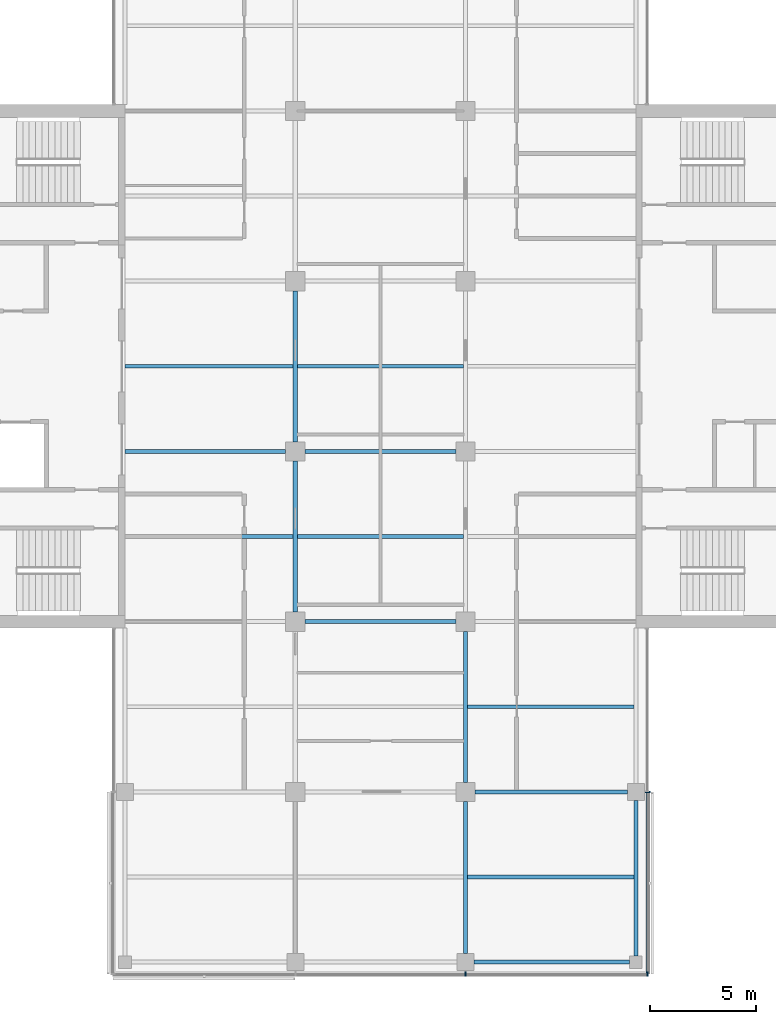
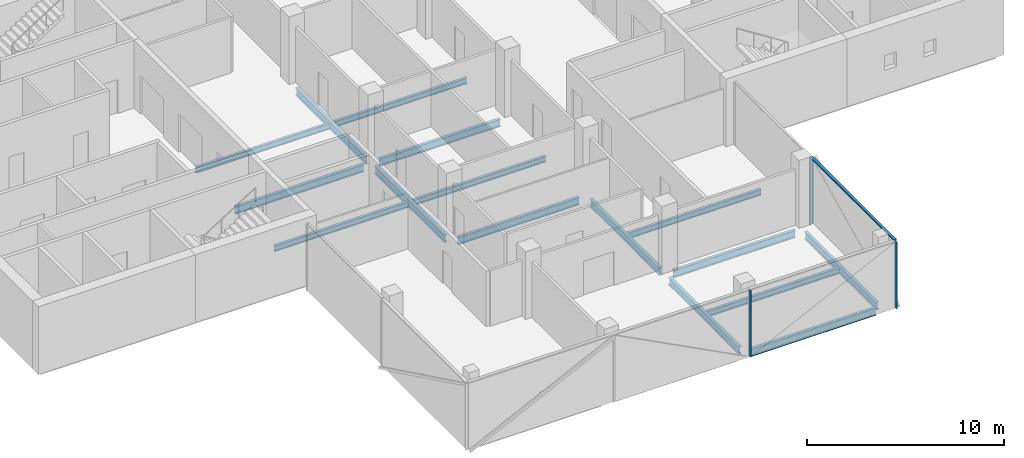
# One storey, part 3 of 16: 16 beams, 4 members, 2 elements without a shape of their own.
"""IFC4 building model written with IfcOpenShell, lengths in metres."""

from ifc_helpers import new_model, si_unit, direction, frame, origin, origin_2d, place, context, subcontext, project, spatial, rectangle, i_section, extrude, material, material_profile, profile_set, type_object, element, aggregate, save


model = new_model("IFC4")

# Units and contexts
model_context = context("Model", 3, precision=1e-05, world=origin(), true_north=direction((0.0, 1.0)))
body_context = subcontext(model_context, "Body", "Model", "MODEL_VIEW")
ifc_project = project(units=[si_unit("LENGTHUNIT", "METRE"), si_unit("AREAUNIT", "SQUARE_METRE"), si_unit("VOLUMEUNIT", "CUBIC_METRE"), si_unit("PLANEANGLEUNIT", "RADIAN"), si_unit("MASSUNIT", "GRAM", prefix="KILO")], contexts=[model_context])

# Site, building, storey
site_placement = place(None, origin())
site = spatial("IfcSite", under=ifc_project, at=site_placement, CompositionType="ELEMENT")
building_placement = place(site_placement, origin())
building = spatial("IfcBuilding", under=site, at=building_placement, Name="Crosswind Convention Tower", CompositionType="ELEMENT")
storey_placement = place(building_placement, frame((0.0, 0.0, 212.5)))
storey = spatial("IfcBuildingStorey", under=building, at=storey_placement, Name="L45", CompositionType="ELEMENT", Elevation=212.5)

# Beams
ifc_material_1 = material(Name="Steel S355", Category="steel")
ifc_material_profile_1 = material_profile(ifc_material_1, i_section(OverallWidth=0.18994140625, OverallDepth=0.45361328125, WebThickness=0.008544921875, FlangeThickness=0.0126953125, FilletRadius=0.01025390625, at=origin_2d()), Name="UB 457x191x67")
ifc_profile_set_1 = profile_set([ifc_material_profile_1], Name="Steel S355")
beam_type_1 = type_object("IfcBeamType", Name="Edge beam UB 457x191x67", PredefinedType="SPANDREL", material=ifc_profile_set_1)
for number, where, z_axis, x_axis, name in (
    (1, (129.39990234375, 72.0, -0.52685546875), (1.0, 0.0, 0.0), (0.0, 1.0, 0.0), "B16 L45 edge beam 9"),
    (2, (137.0, 72.300048828125, -0.52685546875), (0.0, 1.0, 0.0), (-1.0, 0.0, 0.0), "B16 L45 edge beam 11"),
):
    element("IfcBeam", number, at=place(storey_placement, frame(where, z_axis=z_axis, x_axis=x_axis)), inside=storey, type_object=beam_type_1, Name=name, PredefinedType="SPANDREL", context=body_context, shape_type="SweptSolid", body=[
        extrude(i_section(OverallWidth=0.18994140625, OverallDepth=0.45361328125, WebThickness=0.008544921875, FlangeThickness=0.0126953125, FilletRadius=0.01025390625, at=origin_2d()), origin(), (0.0, 0.0, 1.0), 7.300048828125),
    ])
ifc_material_profile_2 = material_profile(ifc_material_1, i_section(OverallWidth=0.1904296875, OverallDepth=0.457275390625, WebThickness=0.009033203125, FlangeThickness=0.014404296875, FilletRadius=0.01025390625, at=origin_2d()), Name="UB 457x191x75")
ifc_profile_set_2 = profile_set([ifc_material_profile_2], Name="Steel S355")
beam_type_2 = type_object("IfcBeamType", Name="Girder UB 457x191x75", PredefinedType="BEAM", material=ifc_profile_set_2)
for number, where, z_axis, x_axis, name in (
    (3, (121.0, 88.449951171875, -0.528564453125), (0.0, 1.0, 0.0), (-1.0, 0.0, 0.0), "B2 L45 girder 5"),
    (4, (121.0, 96.449951171875, -0.528564453125), (0.0, 1.0, 0.0), (-1.0, 0.0, 0.0), "B2 L45 girder 6"),
    (5, (121.449951171875, 88.0, -0.528564453125), (1.0, 0.0, 0.0), (0.0, 1.0, 0.0), "B2 L45 girder 11"),
    (6, (121.449951171875, 96.0, -0.528564453125), (1.0, 0.0, 0.0), (0.0, 1.0, 0.0), "B2 L45 girder 12"),
):
    element("IfcBeam", number, at=place(storey_placement, frame(where, z_axis=z_axis, x_axis=x_axis)), inside=storey, type_object=beam_type_2, Name=name, PredefinedType="BEAM", context=body_context, shape_type="SweptSolid", body=[
        extrude(i_section(OverallWidth=0.1904296875, OverallDepth=0.457275390625, WebThickness=0.009033203125, FlangeThickness=0.014404296875, FilletRadius=0.01025390625, at=origin_2d()), origin(), (0.0, 0.0, 1.0), 7.10009765625),
    ])
beam_1_placement = place(storey_placement, frame((129.0, 72.39990234375, -0.528564453125), z_axis=(0.0, 1.0, 0.0), x_axis=(-1.0, 0.0, 0.0)))
element("IfcBeam", 7, at=beam_1_placement, inside=storey, type_object=beam_type_2, Name="B2 L45 girder 16", PredefinedType="BEAM", context=body_context, shape_type="SweptSolid", body=[
    extrude(i_section(OverallWidth=0.1904296875, OverallDepth=0.457275390625, WebThickness=0.009033203125, FlangeThickness=0.014404296875, FilletRadius=0.01025390625, at=origin_2d()), origin(), (0.0, 0.0, 1.0), 7.150146484375),
])
beam_2_placement = place(storey_placement, frame((129.0, 80.449951171875, -0.528564453125), z_axis=(0.0, 1.0, 0.0), x_axis=(-1.0, 0.0, 0.0)))
element("IfcBeam", 8, at=beam_2_placement, inside=storey, type_object=beam_type_2, Name="B2 L45 girder 17", PredefinedType="BEAM", context=body_context, shape_type="SweptSolid", body=[
    extrude(i_section(OverallWidth=0.1904296875, OverallDepth=0.457275390625, WebThickness=0.009033203125, FlangeThickness=0.014404296875, FilletRadius=0.01025390625, at=origin_2d()), origin(), (0.0, 0.0, 1.0), 7.10009765625),
])
beam_3_placement = place(storey_placement, frame((129.449951171875, 80.0, -0.528564453125), z_axis=(1.0, 0.0, 0.0), x_axis=(0.0, 1.0, 0.0)))
element("IfcBeam", 9, at=beam_3_placement, inside=storey, type_object=beam_type_2, Name="B2 L45 girder 23", PredefinedType="BEAM", context=body_context, shape_type="SweptSolid", body=[
    extrude(i_section(OverallWidth=0.1904296875, OverallDepth=0.457275390625, WebThickness=0.009033203125, FlangeThickness=0.014404296875, FilletRadius=0.01025390625, at=origin_2d()), origin(), (0.0, 0.0, 1.0), 7.150146484375),
])
ifc_material_profile_3 = material_profile(ifc_material_1, i_section(OverallWidth=0.19140625, OverallDepth=0.460205078125, WebThickness=0.010009765625, FlangeThickness=0.01611328125, FilletRadius=0.01025390625, at=origin_2d()), Name="UB 457x191x82")
ifc_profile_set_3 = profile_set([ifc_material_profile_3], Name="Steel S355")
beam_type_3 = type_object("IfcBeamType", Name="Girder at core wall UB 457x191x82", PredefinedType="BEAM", material=ifc_profile_set_3)
beam_4_placement = place(storey_placement, frame((113.0, 96.0, -0.530029296875), z_axis=(1.0, 0.0, 0.0), x_axis=(0.0, 1.0, 0.0)))
element("IfcBeam", 10, at=beam_4_placement, inside=storey, type_object=beam_type_3, Name="B23 L45 girder at core wall 2", PredefinedType="BEAM", context=body_context, shape_type="SweptSolid", body=[
    extrude(i_section(OverallWidth=0.19140625, OverallDepth=0.460205078125, WebThickness=0.010009765625, FlangeThickness=0.01611328125, FilletRadius=0.01025390625, at=origin_2d()), origin(), (0.0, 0.0, 1.0), 7.550048828125),
])

# Curtain wall, members
ifc_material_2 = material(Name="Aluminium unitised curtain wall", Category="aluminium")
curtain_wall_type = type_object("IfcCurtainWallType", Name="OFFICE UNITISED WALL 220", PredefinedType="USERDEFINED", material=ifc_material_2)
curtain_wall_1_placement = place(storey_placement, origin())
curtain_wall_1 = element("IfcCurtainWall", 11, at=curtain_wall_1_placement, inside=storey, type_object=curtain_wall_type, Name="CW3 L45 S-TIP 1", ObjectType="UNITISED", PredefinedType="USERDEFINED")
ifc_material_3 = material(Name="Aluminium mullion", Category="aluminium")
ifc_material_profile_4 = material_profile(ifc_material_3, rectangle(XDim=0.219970703125, YDim=0.070068359375, at=origin_2d()), Name="AL 220X70")
ifc_profile_set_4 = profile_set([ifc_material_profile_4], Name="Aluminium mullion")
member_type_1 = type_object("IfcMemberType", Name="MULLION 70X220", PredefinedType="MULLION", material=ifc_profile_set_4)
member_1_placement = place(storey_placement, frame((129.0, 71.43994140625, -0.300048828125), z_axis=(0.0, 0.0, 1.0), x_axis=(0.0, -1.0, 0.0)))
member_1 = element("IfcMember", 12, at=member_1_placement, type_object=member_type_1, Name="CW3 mullion 3", PredefinedType="MULLION", context=body_context, shape_type="SweptSolid", body=[
    extrude(rectangle(XDim=0.219970703125, YDim=0.070068359375, at=origin_2d()), origin(), (0.0, 0.0, 1.0), 4.130126953125),
])
member_2_placement = place(storey_placement, frame((137.56005859375, 71.43994140625, -0.300048828125), z_axis=(0.0, 0.0, 1.0), x_axis=(0.0, -1.0, 0.0)))
member_2 = element("IfcMember", 13, at=member_2_placement, type_object=member_type_1, Name="CW3 mullion 4", PredefinedType="MULLION", context=body_context, shape_type="SweptSolid", body=[
    extrude(rectangle(XDim=0.219970703125, YDim=0.070068359375, at=origin_2d()), origin(), (0.0, 0.0, 1.0), 4.130126953125),
])
aggregate(curtain_wall_1, [member_1, member_2])

# Curtain wall, member
curtain_wall_2_placement = place(storey_placement, origin())
curtain_wall_2 = element("IfcCurtainWall", 14, at=curtain_wall_2_placement, inside=storey, type_object=curtain_wall_type, Name="CW3 L45 S-E 1", ObjectType="UNITISED", PredefinedType="USERDEFINED")
member_3_placement = place(storey_placement, frame((137.56005859375, 80.0, -0.300048828125), z_axis=(0.0, 0.0, 1.0), x_axis=(1.0, 0.0, 0.0)))
member_3 = element("IfcMember", 15, at=member_3_placement, type_object=member_type_1, Name="CW3 mullion 2", PredefinedType="MULLION", context=body_context, shape_type="SweptSolid", body=[
    extrude(rectangle(XDim=0.219970703125, YDim=0.070068359375, at=origin_2d()), origin(), (0.0, 0.0, 1.0), 4.130126953125),
])

# Beams
ifc_material_profile_5 = material_profile(ifc_material_1, i_section(OverallWidth=0.172119140625, OverallDepth=0.358642578125, WebThickness=0.008056640625, FlangeThickness=0.012939453125, FilletRadius=0.01025390625, at=origin_2d()), Name="UB 356x171x57")
ifc_profile_set_5 = profile_set([ifc_material_profile_5], Name="Steel S355")
beam_type_4 = type_object("IfcBeamType", Name="Secondary beam UB 356x171x57", PredefinedType="JOIST", material=ifc_profile_set_5)
for number, where, z_axis, x_axis, name in (
    (16, (113.0, 92.0, -0.479248046875), (1.0, 0.0, 0.0), (0.0, 1.0, 0.0), "B9 L45 secondary beam 1"),
    (17, (113.0, 100.0, -0.479248046875), (1.0, 0.0, 0.0), (0.0, 1.0, 0.0), "B9 L45 secondary beam 2"),
):
    element("IfcBeam", number, at=place(storey_placement, frame(where, z_axis=z_axis, x_axis=x_axis)), inside=storey, type_object=beam_type_4, Name=name, PredefinedType="JOIST", context=body_context, shape_type="SweptSolid", body=[
        extrude(i_section(OverallWidth=0.172119140625, OverallDepth=0.358642578125, WebThickness=0.008056640625, FlangeThickness=0.012939453125, FilletRadius=0.01025390625, at=origin_2d()), origin(), (0.0, 0.0, 1.0), 7.90478515625),
    ])
for number, where, z_axis, x_axis, name in (
    (18, (121.09521484375, 92.0, -0.479248046875), (1.0, 0.0, 0.0), (0.0, 1.0, 0.0), "B9 L45 secondary beam 10"),
    (19, (121.09521484375, 100.0, -0.479248046875), (1.0, 0.0, 0.0), (0.0, 1.0, 0.0), "B9 L45 secondary beam 11"),
):
    element("IfcBeam", number, at=place(storey_placement, frame(where, z_axis=z_axis, x_axis=x_axis)), inside=storey, type_object=beam_type_4, Name=name, PredefinedType="JOIST", context=body_context, shape_type="SweptSolid", body=[
        extrude(i_section(OverallWidth=0.172119140625, OverallDepth=0.358642578125, WebThickness=0.008056640625, FlangeThickness=0.012939453125, FilletRadius=0.01025390625, at=origin_2d()), origin(), (0.0, 0.0, 1.0), 7.8095703125),
    ])
for number, where, z_axis, x_axis, name in (
    (20, (129.09521484375, 76.0, -0.479248046875), (1.0, 0.0, 0.0), (0.0, 1.0, 0.0), "B9 L45 secondary beam 15"),
    (21, (129.09521484375, 84.0, -0.479248046875), (1.0, 0.0, 0.0), (0.0, 1.0, 0.0), "B9 L45 secondary beam 16"),
):
    element("IfcBeam", number, at=place(storey_placement, frame(where, z_axis=z_axis, x_axis=x_axis)), inside=storey, type_object=beam_type_4, Name=name, PredefinedType="JOIST", context=body_context, shape_type="SweptSolid", body=[
        extrude(i_section(OverallWidth=0.172119140625, OverallDepth=0.358642578125, WebThickness=0.008056640625, FlangeThickness=0.012939453125, FilletRadius=0.01025390625, at=origin_2d()), origin(), (0.0, 0.0, 1.0), 7.809814453125),
    ])

# Member
ifc_material_4 = material(Name="Aluminium transom", Category="aluminium")
ifc_material_profile_6 = material_profile(ifc_material_4, rectangle(XDim=0.159912109375, YDim=0.070068359375, at=origin_2d()), Name="AL 160X70")
ifc_profile_set_6 = profile_set([ifc_material_profile_6], Name="Aluminium transom")
member_type_2 = type_object("IfcMemberType", Name="TRANSOM 70X160", PredefinedType="USERDEFINED", material=ifc_profile_set_6)
member_4_placement = place(storey_placement, frame((137.56005859375, 71.47509765625, 3.864990234375), z_axis=(0.0, 1.0, 0.0), x_axis=(-1.0, 0.0, 0.0)))
member_4 = element("IfcMember", 22, at=member_4_placement, type_object=member_type_2, Name="CW3 transom", ObjectType="TRANSOM", PredefinedType="USERDEFINED", context=body_context, shape_type="SweptSolid", body=[
    extrude(rectangle(XDim=0.159912109375, YDim=0.070068359375, at=origin_2d()), origin(), (0.0, 0.0, 1.0), 8.489990234375),
])

aggregate(curtain_wall_2, [member_3, member_4])

save(model, "model.ifc")
